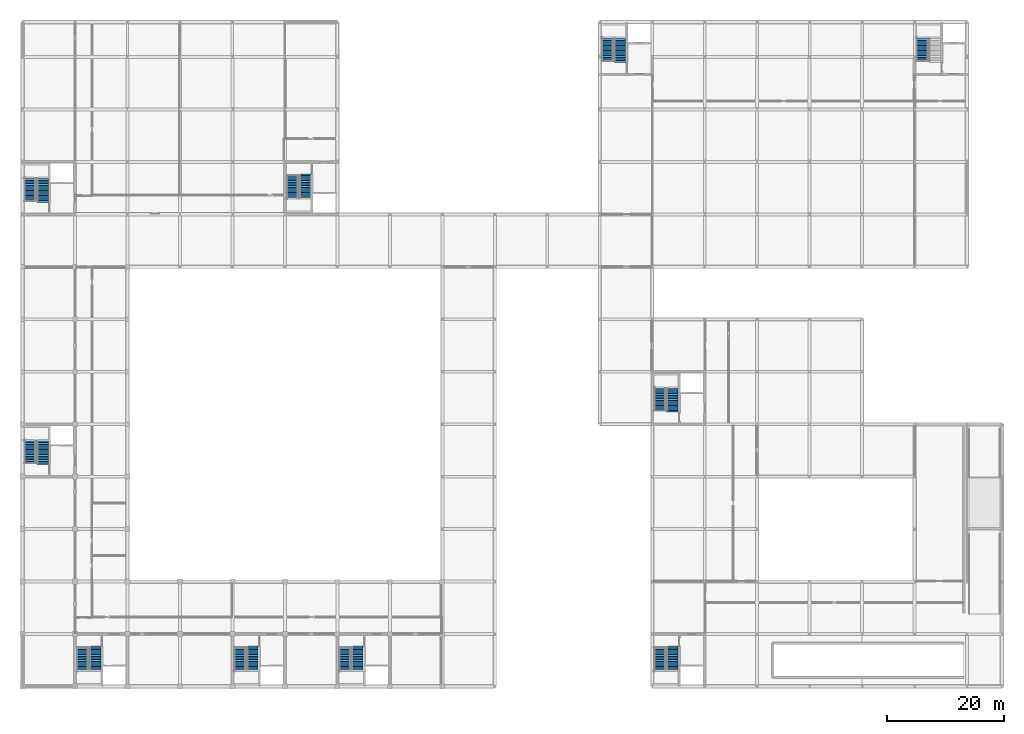
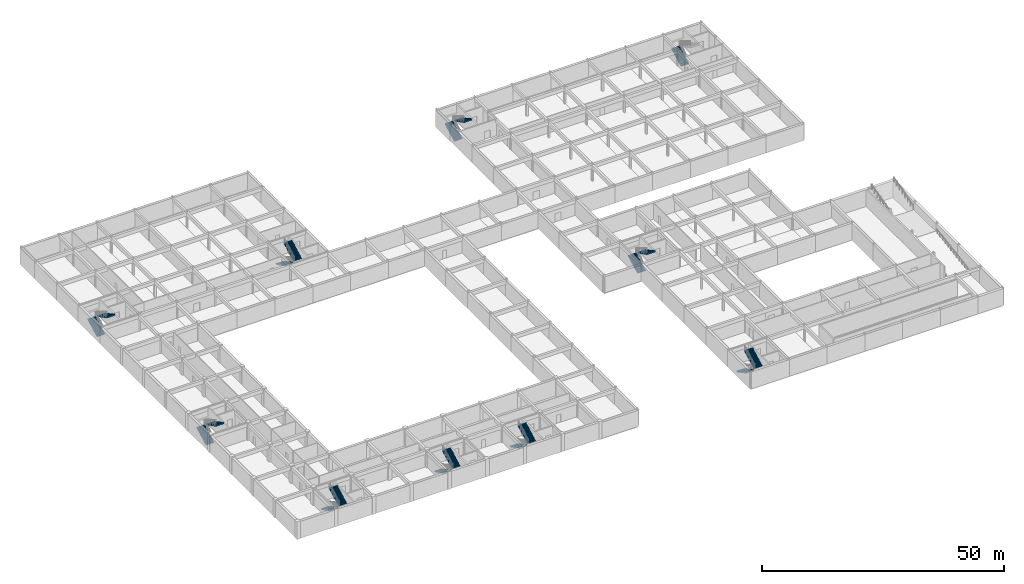
# One storey, part 27 of 35: 19 stair flights, 10 elements without a shape of their own.
"""IFC4 building model written with IfcOpenShell, lengths in metres."""

from ifc_helpers import new_model, si_unit, direction, frame, origin, place, context, subcontext, project, spatial, polyline, outline, extrude, material, type_object, element, aggregate, save


model = new_model("IFC4")

# Units and contexts
model_context = context("Model", 3, precision=1e-05, world=origin(), true_north=direction((0.0, 1.0)))
body_context = subcontext(model_context, "Body", "Model", "MODEL_VIEW")
ifc_project = project(units=[si_unit("LENGTHUNIT", "METRE"), si_unit("AREAUNIT", "SQUARE_METRE"), si_unit("VOLUMEUNIT", "CUBIC_METRE"), si_unit("PLANEANGLEUNIT", "RADIAN"), si_unit("MASSUNIT", "GRAM", prefix="KILO")], contexts=[model_context])

# Site, building, storey
site_placement = place(None, origin())
site = spatial("IfcSite", under=ifc_project, at=site_placement, CompositionType="ELEMENT")
building_placement = place(site_placement, origin())
building = spatial("IfcBuilding", under=site, at=building_placement, Name="Palais des Congres Ocreval", CompositionType="ELEMENT")
storey_placement = place(building_placement, frame((0.0, 0.0, -4.47998046875)))
storey = spatial("IfcBuildingStorey", under=building, at=storey_placement, Name="B1", CompositionType="ELEMENT", Elevation=-4.47998046875)

# Stair, stair flights
ifc_material = material(Name="Concrete C40/50", Category="concrete")
stair_type_1 = type_object("IfcStairType", Name="Commission Core Stair 1950 Concrete C40/50", PredefinedType="HALF_TURN_STAIR", material=ifc_material)
stair_1_placement = place(storey_placement, origin())
stair_1 = element("IfcStair", 1, at=stair_1_placement, inside=storey, type_object=stair_type_1, Name="Protected Core Stair ST09 B1", PredefinedType="HALF_TURN_STAIR")
stair_flight_type_1 = type_object("IfcStairFlightType", Name="Commission Stair Flight W1950 Concrete C40/50", PredefinedType="STRAIGHT", material=ifc_material)
stair_flight_1_placement = place(storey_placement, frame((109.344970703125, 6.64990234375, 0.0), z_axis=(0.0, 0.0, 1.0), x_axis=(0.0, -1.0, 0.0)))
stair_flight_1 = element("IfcStairFlight", 2, at=stair_flight_1_placement, type_object=stair_flight_type_1, Name="Stair ST09 B1 Flight 1", NumberOfRisers=14, NumberOfTreads=13, PredefinedType="STRAIGHT", RiserHeight=0.16, TreadLength=0.29, context=body_context, shape_type="SweptSolid", body=[
    extrude(outline(polyline([(-0.006103515625, 0.0), (-0.006103515625, 0.080078125), (0.0, 0.159912109375), (0.2900390625, 0.159912109375), (0.2900390625, 0.320068359375), (0.580078125, 0.320068359375), (0.580078125, 0.47998046875), (0.8701171875, 0.47998046875), (0.8701171875, 0.639892578125), (1.159912109375, 0.639892578125), (1.159912109375, 0.800048828125), (1.449951171875, 0.800048828125), (1.449951171875, 0.9599609375), (1.739990234375, 0.9599609375), (1.739990234375, 1.1201171875), (2.030029296875, 1.1201171875), (2.030029296875, 1.280029296875), (2.320068359375, 1.280029296875), (2.320068359375, 1.43994140625), (2.610107421875, 1.43994140625), (2.610107421875, 1.60009765625), (2.89990234375, 1.60009765625), (2.89990234375, 1.760009765625), (3.18994140625, 1.760009765625), (3.18994140625, 1.919921875), (3.47998046875, 1.919921875), (3.47998046875, 2.080078125), (3.77001953125, 2.080078125), (3.77001953125, 2.239990234375), (3.929931640625, 2.239990234375), (3.929931640625, 1.8974609375), (0.3310546875, 0.0), (-0.006103515625, 0.0)])), frame((0.0, 0.97509765625, 0.0), z_axis=(0.0, -1.0, 0.0), x_axis=(1.0, 0.0, 0.0)), (0.0, 0.0, 1.0), 1.949951171875),
])
stair_flight_2_placement = place(storey_placement, frame((111.455078125, 2.8798828125, 2.239990234375), z_axis=(0.0, 0.0, 1.0), x_axis=(0.0, 1.0, 0.0)))
stair_flight_2 = element("IfcStairFlight", 3, at=stair_flight_2_placement, type_object=stair_flight_type_1, Name="Stair ST09 B1 Flight 2", NumberOfRisers=14, NumberOfTreads=13, PredefinedType="STRAIGHT", RiserHeight=0.16, TreadLength=0.29, context=body_context, shape_type="SweptSolid", body=[
    extrude(outline(polyline([(-0.006103515625, 0.0), (-0.006103515625, 0.080078125), (0.0, 0.159912109375), (0.2900390625, 0.159912109375), (0.2900390625, 0.320068359375), (0.580078125, 0.320068359375), (0.580078125, 0.47998046875), (0.8701171875, 0.47998046875), (0.8701171875, 0.639892578125), (1.159912109375, 0.639892578125), (1.159912109375, 0.800048828125), (1.449951171875, 0.800048828125), (1.449951171875, 0.9599609375), (1.739990234375, 0.9599609375), (1.739990234375, 1.1201171875), (2.030029296875, 1.1201171875), (2.030029296875, 1.280029296875), (2.320068359375, 1.280029296875), (2.320068359375, 1.43994140625), (2.610107421875, 1.43994140625), (2.610107421875, 1.60009765625), (2.89990234375, 1.60009765625), (2.89990234375, 1.760009765625), (3.18994140625, 1.760009765625), (3.18994140625, 1.919921875), (3.47998046875, 1.919921875), (3.47998046875, 2.080078125), (3.77001953125, 2.080078125), (3.77001953125, 2.239990234375), (4.06005859375, 2.239990234375), (4.06005859375, 1.8974609375), (0.3310546875, 0.0), (-0.006103515625, 0.0)])), frame((0.0, 0.97509765625, 0.0), z_axis=(0.0, -1.0, 0.0), x_axis=(1.0, 0.0, 0.0)), (0.0, 0.0, 1.0), 1.949951171875),
])
aggregate(stair_1, [stair_flight_1, stair_flight_2])

stair_type_2 = type_object("IfcStairType", Name="Protected Core Stair B2-B1 1900 Concrete C40/50", PredefinedType="HALF_TURN_STAIR", material=ifc_material)
stair_2_placement = place(storey_placement, origin())
stair_2 = element("IfcStair", 4, at=stair_2_placement, inside=storey, type_object=stair_type_2, Name="Protected Core Stair ST01 B1", PredefinedType="HALF_TURN_STAIR")
stair_flight_type_2 = type_object("IfcStairFlightType", Name="Core Stair Flight 14R x 160/290 W1900 Concrete C40/50", PredefinedType="STRAIGHT", material=ifc_material)
stair_flight_3_placement = place(storey_placement, frame((10.320068359375, 6.64990234375, 0.0), z_axis=(0.0, 0.0, 1.0), x_axis=(0.0, -1.0, 0.0)))
stair_flight_3 = element("IfcStairFlight", 5, at=stair_flight_3_placement, type_object=stair_flight_type_2, Name="Stair ST01 B1 Flight 1", NumberOfRisers=14, NumberOfTreads=13, PredefinedType="STRAIGHT", RiserHeight=0.16, TreadLength=0.29, context=body_context, shape_type="SweptSolid", body=[
    extrude(outline(polyline([(-0.006103515625, 0.0), (-0.006103515625, 0.080078125), (0.0, 0.159912109375), (0.2900390625, 0.159912109375), (0.2900390625, 0.320068359375), (0.580078125, 0.320068359375), (0.580078125, 0.47998046875), (0.8701171875, 0.47998046875), (0.8701171875, 0.639892578125), (1.159912109375, 0.639892578125), (1.159912109375, 0.800048828125), (1.449951171875, 0.800048828125), (1.449951171875, 0.9599609375), (1.739990234375, 0.9599609375), (1.739990234375, 1.1201171875), (2.030029296875, 1.1201171875), (2.030029296875, 1.280029296875), (2.320068359375, 1.280029296875), (2.320068359375, 1.43994140625), (2.610107421875, 1.43994140625), (2.610107421875, 1.60009765625), (2.89990234375, 1.60009765625), (2.89990234375, 1.760009765625), (3.18994140625, 1.760009765625), (3.18994140625, 1.919921875), (3.47998046875, 1.919921875), (3.47998046875, 2.080078125), (3.77001953125, 2.080078125), (3.77001953125, 2.239990234375), (3.929931640625, 2.239990234375), (3.929931640625, 1.8974609375), (0.3310546875, 0.0), (-0.006103515625, 0.0)])), frame((0.0, 0.949951171875, 0.0), z_axis=(0.0, -1.0, 0.0), x_axis=(1.0, 0.0, 0.0)), (0.0, 0.0, 1.0), 1.89990234375),
])
stair_flight_4_placement = place(storey_placement, frame((12.47998046875, 2.8798828125, 2.239990234375), z_axis=(0.0, 0.0, 1.0), x_axis=(0.0, 1.0, 0.0)))
stair_flight_4 = element("IfcStairFlight", 6, at=stair_flight_4_placement, type_object=stair_flight_type_2, Name="Stair ST01 B1 Flight 2", NumberOfRisers=14, NumberOfTreads=13, PredefinedType="STRAIGHT", RiserHeight=0.16, TreadLength=0.29, context=body_context, shape_type="SweptSolid", body=[
    extrude(outline(polyline([(-0.006103515625, 0.0), (-0.006103515625, 0.080078125), (0.0, 0.159912109375), (0.2900390625, 0.159912109375), (0.2900390625, 0.320068359375), (0.580078125, 0.320068359375), (0.580078125, 0.47998046875), (0.8701171875, 0.47998046875), (0.8701171875, 0.639892578125), (1.159912109375, 0.639892578125), (1.159912109375, 0.800048828125), (1.449951171875, 0.800048828125), (1.449951171875, 0.9599609375), (1.739990234375, 0.9599609375), (1.739990234375, 1.1201171875), (2.030029296875, 1.1201171875), (2.030029296875, 1.280029296875), (2.320068359375, 1.280029296875), (2.320068359375, 1.43994140625), (2.610107421875, 1.43994140625), (2.610107421875, 1.60009765625), (2.89990234375, 1.60009765625), (2.89990234375, 1.760009765625), (3.18994140625, 1.760009765625), (3.18994140625, 1.919921875), (3.47998046875, 1.919921875), (3.47998046875, 2.080078125), (3.77001953125, 2.080078125), (3.77001953125, 2.239990234375), (4.06005859375, 2.239990234375), (4.06005859375, 1.8974609375), (0.3310546875, 0.0), (-0.006103515625, 0.0)])), frame((0.0, 0.949951171875, 0.0), z_axis=(0.0, -1.0, 0.0), x_axis=(1.0, 0.0, 0.0)), (0.0, 0.0, 1.0), 1.89990234375),
])
aggregate(stair_2, [stair_flight_3, stair_flight_4])

stair_3_placement = place(storey_placement, origin())
stair_3 = element("IfcStair", 7, at=stair_3_placement, inside=storey, type_object=stair_type_2, Name="Protected Core Stair ST02 B1", PredefinedType="HALF_TURN_STAIR")
stair_flight_5_placement = place(storey_placement, frame((37.320068359375, 6.64990234375, 0.0), z_axis=(0.0, 0.0, 1.0), x_axis=(0.0, -1.0, 0.0)))
stair_flight_5 = element("IfcStairFlight", 8, at=stair_flight_5_placement, type_object=stair_flight_type_2, Name="Stair ST02 B1 Flight 1", NumberOfRisers=14, NumberOfTreads=13, PredefinedType="STRAIGHT", RiserHeight=0.16, TreadLength=0.29, context=body_context, shape_type="SweptSolid", body=[
    extrude(outline(polyline([(-0.006103515625, 0.0), (-0.006103515625, 0.080078125), (0.0, 0.159912109375), (0.2900390625, 0.159912109375), (0.2900390625, 0.320068359375), (0.580078125, 0.320068359375), (0.580078125, 0.47998046875), (0.8701171875, 0.47998046875), (0.8701171875, 0.639892578125), (1.159912109375, 0.639892578125), (1.159912109375, 0.800048828125), (1.449951171875, 0.800048828125), (1.449951171875, 0.9599609375), (1.739990234375, 0.9599609375), (1.739990234375, 1.1201171875), (2.030029296875, 1.1201171875), (2.030029296875, 1.280029296875), (2.320068359375, 1.280029296875), (2.320068359375, 1.43994140625), (2.610107421875, 1.43994140625), (2.610107421875, 1.60009765625), (2.89990234375, 1.60009765625), (2.89990234375, 1.760009765625), (3.18994140625, 1.760009765625), (3.18994140625, 1.919921875), (3.47998046875, 1.919921875), (3.47998046875, 2.080078125), (3.77001953125, 2.080078125), (3.77001953125, 2.239990234375), (3.929931640625, 2.239990234375), (3.929931640625, 1.8974609375), (0.3310546875, 0.0), (-0.006103515625, 0.0)])), frame((0.0, 0.949951171875, 0.0), z_axis=(0.0, -1.0, 0.0), x_axis=(1.0, 0.0, 0.0)), (0.0, 0.0, 1.0), 1.89990234375),
])
stair_flight_6_placement = place(storey_placement, frame((39.47998046875, 2.8798828125, 2.239990234375), z_axis=(0.0, 0.0, 1.0), x_axis=(0.0, 1.0, 0.0)))
stair_flight_6 = element("IfcStairFlight", 9, at=stair_flight_6_placement, type_object=stair_flight_type_2, Name="Stair ST02 B1 Flight 2", NumberOfRisers=14, NumberOfTreads=13, PredefinedType="STRAIGHT", RiserHeight=0.16, TreadLength=0.29, context=body_context, shape_type="SweptSolid", body=[
    extrude(outline(polyline([(-0.006103515625, 0.0), (-0.006103515625, 0.080078125), (0.0, 0.159912109375), (0.2900390625, 0.159912109375), (0.2900390625, 0.320068359375), (0.580078125, 0.320068359375), (0.580078125, 0.47998046875), (0.8701171875, 0.47998046875), (0.8701171875, 0.639892578125), (1.159912109375, 0.639892578125), (1.159912109375, 0.800048828125), (1.449951171875, 0.800048828125), (1.449951171875, 0.9599609375), (1.739990234375, 0.9599609375), (1.739990234375, 1.1201171875), (2.030029296875, 1.1201171875), (2.030029296875, 1.280029296875), (2.320068359375, 1.280029296875), (2.320068359375, 1.43994140625), (2.610107421875, 1.43994140625), (2.610107421875, 1.60009765625), (2.89990234375, 1.60009765625), (2.89990234375, 1.760009765625), (3.18994140625, 1.760009765625), (3.18994140625, 1.919921875), (3.47998046875, 1.919921875), (3.47998046875, 2.080078125), (3.77001953125, 2.080078125), (3.77001953125, 2.239990234375), (4.06005859375, 2.239990234375), (4.06005859375, 1.8974609375), (0.3310546875, 0.0), (-0.006103515625, 0.0)])), frame((0.0, 0.949951171875, 0.0), z_axis=(0.0, -1.0, 0.0), x_axis=(1.0, 0.0, 0.0)), (0.0, 0.0, 1.0), 1.89990234375),
])
aggregate(stair_3, [stair_flight_5, stair_flight_6])

stair_4_placement = place(storey_placement, origin())
stair_4 = element("IfcStair", 10, at=stair_4_placement, inside=storey, type_object=stair_type_2, Name="Protected Core Stair ST03 B1", PredefinedType="HALF_TURN_STAIR")
stair_flight_7_placement = place(storey_placement, frame((1.320068359375, 38.35009765625, 0.0), z_axis=(0.0, 0.0, 1.0), x_axis=(0.0, 1.0, 0.0)))
stair_flight_7 = element("IfcStairFlight", 11, at=stair_flight_7_placement, type_object=stair_flight_type_2, Name="Stair ST03 B1 Flight 1", NumberOfRisers=14, NumberOfTreads=13, PredefinedType="STRAIGHT", RiserHeight=0.16, TreadLength=0.29, context=body_context, shape_type="SweptSolid", body=[
    extrude(outline(polyline([(-0.006103515625, 0.0), (-0.006103515625, 0.080078125), (0.0, 0.159912109375), (0.2900390625, 0.159912109375), (0.2900390625, 0.320068359375), (0.580078125, 0.320068359375), (0.580078125, 0.47998046875), (0.8701171875, 0.47998046875), (0.8701171875, 0.639892578125), (1.159912109375, 0.639892578125), (1.159912109375, 0.800048828125), (1.449951171875, 0.800048828125), (1.449951171875, 0.9599609375), (1.739990234375, 0.9599609375), (1.739990234375, 1.1201171875), (2.030029296875, 1.1201171875), (2.030029296875, 1.280029296875), (2.320068359375, 1.280029296875), (2.320068359375, 1.43994140625), (2.610107421875, 1.43994140625), (2.610107421875, 1.60009765625), (2.89990234375, 1.60009765625), (2.89990234375, 1.760009765625), (3.18994140625, 1.760009765625), (3.18994140625, 1.919921875), (3.47998046875, 1.919921875), (3.47998046875, 2.080078125), (3.77001953125, 2.080078125), (3.77001953125, 2.239990234375), (3.929931640625, 2.239990234375), (3.929931640625, 1.8974609375), (0.3310546875, 0.0), (-0.006103515625, 0.0)])), frame((0.0, 0.949951171875, 0.0), z_axis=(0.0, -1.0, 0.0), x_axis=(1.0, 0.0, 0.0)), (0.0, 0.0, 1.0), 1.89990234375),
])
stair_flight_8_placement = place(storey_placement, frame((3.47998046875, 42.1201171875, 2.239990234375), z_axis=(0.0, 0.0, 1.0), x_axis=(0.0, -1.0, 0.0)))
stair_flight_8 = element("IfcStairFlight", 12, at=stair_flight_8_placement, type_object=stair_flight_type_2, Name="Stair ST03 B1 Flight 2", NumberOfRisers=14, NumberOfTreads=13, PredefinedType="STRAIGHT", RiserHeight=0.16, TreadLength=0.29, context=body_context, shape_type="SweptSolid", body=[
    extrude(outline(polyline([(-0.006103515625, 0.0), (-0.006103515625, 0.080078125), (0.0, 0.159912109375), (0.2900390625, 0.159912109375), (0.2900390625, 0.320068359375), (0.580078125, 0.320068359375), (0.580078125, 0.47998046875), (0.8701171875, 0.47998046875), (0.8701171875, 0.639892578125), (1.159912109375, 0.639892578125), (1.159912109375, 0.800048828125), (1.449951171875, 0.800048828125), (1.449951171875, 0.9599609375), (1.739990234375, 0.9599609375), (1.739990234375, 1.1201171875), (2.030029296875, 1.1201171875), (2.030029296875, 1.280029296875), (2.320068359375, 1.280029296875), (2.320068359375, 1.43994140625), (2.610107421875, 1.43994140625), (2.610107421875, 1.60009765625), (2.89990234375, 1.60009765625), (2.89990234375, 1.760009765625), (3.18994140625, 1.760009765625), (3.18994140625, 1.919921875), (3.47998046875, 1.919921875), (3.47998046875, 2.080078125), (3.77001953125, 2.080078125), (3.77001953125, 2.239990234375), (4.06005859375, 2.239990234375), (4.06005859375, 1.8974609375), (0.3310546875, 0.0), (-0.006103515625, 0.0)])), frame((0.0, 0.949951171875, 0.0), z_axis=(0.0, -1.0, 0.0), x_axis=(1.0, 0.0, 0.0)), (0.0, 0.0, 1.0), 1.89990234375),
])
aggregate(stair_4, [stair_flight_7, stair_flight_8])

stair_5_placement = place(storey_placement, origin())
stair_5 = element("IfcStair", 13, at=stair_5_placement, inside=storey, type_object=stair_type_2, Name="Protected Core Stair ST04 B1", PredefinedType="HALF_TURN_STAIR")
stair_flight_9_placement = place(storey_placement, frame((55.320068359375, 6.64990234375, 0.0), z_axis=(0.0, 0.0, 1.0), x_axis=(0.0, -1.0, 0.0)))
stair_flight_9 = element("IfcStairFlight", 14, at=stair_flight_9_placement, type_object=stair_flight_type_2, Name="Stair ST04 B1 Flight 1", NumberOfRisers=14, NumberOfTreads=13, PredefinedType="STRAIGHT", RiserHeight=0.16, TreadLength=0.29, context=body_context, shape_type="SweptSolid", body=[
    extrude(outline(polyline([(-0.006103515625, 0.0), (-0.006103515625, 0.080078125), (0.0, 0.159912109375), (0.2900390625, 0.159912109375), (0.2900390625, 0.320068359375), (0.580078125, 0.320068359375), (0.580078125, 0.47998046875), (0.8701171875, 0.47998046875), (0.8701171875, 0.639892578125), (1.159912109375, 0.639892578125), (1.159912109375, 0.800048828125), (1.449951171875, 0.800048828125), (1.449951171875, 0.9599609375), (1.739990234375, 0.9599609375), (1.739990234375, 1.1201171875), (2.030029296875, 1.1201171875), (2.030029296875, 1.280029296875), (2.320068359375, 1.280029296875), (2.320068359375, 1.43994140625), (2.610107421875, 1.43994140625), (2.610107421875, 1.60009765625), (2.89990234375, 1.60009765625), (2.89990234375, 1.760009765625), (3.18994140625, 1.760009765625), (3.18994140625, 1.919921875), (3.47998046875, 1.919921875), (3.47998046875, 2.080078125), (3.77001953125, 2.080078125), (3.77001953125, 2.239990234375), (3.929931640625, 2.239990234375), (3.929931640625, 1.8974609375), (0.3310546875, 0.0), (-0.006103515625, 0.0)])), frame((0.0, 0.949951171875, 0.0), z_axis=(0.0, -1.0, 0.0), x_axis=(1.0, 0.0, 0.0)), (0.0, 0.0, 1.0), 1.89990234375),
])
stair_flight_10_placement = place(storey_placement, frame((57.47998046875, 2.8798828125, 2.239990234375), z_axis=(0.0, 0.0, 1.0), x_axis=(0.0, 1.0, 0.0)))
stair_flight_10 = element("IfcStairFlight", 15, at=stair_flight_10_placement, type_object=stair_flight_type_2, Name="Stair ST04 B1 Flight 2", NumberOfRisers=14, NumberOfTreads=13, PredefinedType="STRAIGHT", RiserHeight=0.16, TreadLength=0.29, context=body_context, shape_type="SweptSolid", body=[
    extrude(outline(polyline([(-0.006103515625, 0.0), (-0.006103515625, 0.080078125), (0.0, 0.159912109375), (0.2900390625, 0.159912109375), (0.2900390625, 0.320068359375), (0.580078125, 0.320068359375), (0.580078125, 0.47998046875), (0.8701171875, 0.47998046875), (0.8701171875, 0.639892578125), (1.159912109375, 0.639892578125), (1.159912109375, 0.800048828125), (1.449951171875, 0.800048828125), (1.449951171875, 0.9599609375), (1.739990234375, 0.9599609375), (1.739990234375, 1.1201171875), (2.030029296875, 1.1201171875), (2.030029296875, 1.280029296875), (2.320068359375, 1.280029296875), (2.320068359375, 1.43994140625), (2.610107421875, 1.43994140625), (2.610107421875, 1.60009765625), (2.89990234375, 1.60009765625), (2.89990234375, 1.760009765625), (3.18994140625, 1.760009765625), (3.18994140625, 1.919921875), (3.47998046875, 1.919921875), (3.47998046875, 2.080078125), (3.77001953125, 2.080078125), (3.77001953125, 2.239990234375), (4.06005859375, 2.239990234375), (4.06005859375, 1.8974609375), (0.3310546875, 0.0), (-0.006103515625, 0.0)])), frame((0.0, 0.949951171875, 0.0), z_axis=(0.0, -1.0, 0.0), x_axis=(1.0, 0.0, 0.0)), (0.0, 0.0, 1.0), 1.89990234375),
])
aggregate(stair_5, [stair_flight_9, stair_flight_10])

stair_6_placement = place(storey_placement, origin())
stair_6 = element("IfcStair", 16, at=stair_6_placement, inside=storey, type_object=stair_type_2, Name="Protected Core Stair ST05 B1", PredefinedType="HALF_TURN_STAIR")
stair_flight_11_placement = place(storey_placement, frame((1.320068359375, 83.35009765625, 0.0), z_axis=(0.0, 0.0, 1.0), x_axis=(0.0, 1.0, 0.0)))
stair_flight_11 = element("IfcStairFlight", 17, at=stair_flight_11_placement, type_object=stair_flight_type_2, Name="Stair ST05 B1 Flight 1", NumberOfRisers=14, NumberOfTreads=13, PredefinedType="STRAIGHT", RiserHeight=0.16, TreadLength=0.29, context=body_context, shape_type="SweptSolid", body=[
    extrude(outline(polyline([(-0.006103515625, 0.0), (-0.006103515625, 0.080078125), (0.0, 0.159912109375), (0.2900390625, 0.159912109375), (0.2900390625, 0.320068359375), (0.580078125, 0.320068359375), (0.580078125, 0.47998046875), (0.8701171875, 0.47998046875), (0.8701171875, 0.639892578125), (1.159912109375, 0.639892578125), (1.159912109375, 0.800048828125), (1.449951171875, 0.800048828125), (1.449951171875, 0.9599609375), (1.739990234375, 0.9599609375), (1.739990234375, 1.1201171875), (2.030029296875, 1.1201171875), (2.030029296875, 1.280029296875), (2.320068359375, 1.280029296875), (2.320068359375, 1.43994140625), (2.610107421875, 1.43994140625), (2.610107421875, 1.60009765625), (2.89990234375, 1.60009765625), (2.89990234375, 1.760009765625), (3.18994140625, 1.760009765625), (3.18994140625, 1.919921875), (3.47998046875, 1.919921875), (3.47998046875, 2.080078125), (3.77001953125, 2.080078125), (3.77001953125, 2.239990234375), (3.929931640625, 2.239990234375), (3.929931640625, 1.8974609375), (0.3310546875, 0.0), (-0.006103515625, 0.0)])), frame((0.0, 0.949951171875, 0.0), z_axis=(0.0, -1.0, 0.0), x_axis=(1.0, 0.0, 0.0)), (0.0, 0.0, 1.0), 1.89990234375),
])
stair_flight_12_placement = place(storey_placement, frame((3.47998046875, 87.1201171875, 2.239990234375), z_axis=(0.0, 0.0, 1.0), x_axis=(0.0, -1.0, 0.0)))
stair_flight_12 = element("IfcStairFlight", 18, at=stair_flight_12_placement, type_object=stair_flight_type_2, Name="Stair ST05 B1 Flight 2", NumberOfRisers=14, NumberOfTreads=13, PredefinedType="STRAIGHT", RiserHeight=0.16, TreadLength=0.29, context=body_context, shape_type="SweptSolid", body=[
    extrude(outline(polyline([(-0.006103515625, 0.0), (-0.006103515625, 0.080078125), (0.0, 0.159912109375), (0.2900390625, 0.159912109375), (0.2900390625, 0.320068359375), (0.580078125, 0.320068359375), (0.580078125, 0.47998046875), (0.8701171875, 0.47998046875), (0.8701171875, 0.639892578125), (1.159912109375, 0.639892578125), (1.159912109375, 0.800048828125), (1.449951171875, 0.800048828125), (1.449951171875, 0.9599609375), (1.739990234375, 0.9599609375), (1.739990234375, 1.1201171875), (2.030029296875, 1.1201171875), (2.030029296875, 1.280029296875), (2.320068359375, 1.280029296875), (2.320068359375, 1.43994140625), (2.610107421875, 1.43994140625), (2.610107421875, 1.60009765625), (2.89990234375, 1.60009765625), (2.89990234375, 1.760009765625), (3.18994140625, 1.760009765625), (3.18994140625, 1.919921875), (3.47998046875, 1.919921875), (3.47998046875, 2.080078125), (3.77001953125, 2.080078125), (3.77001953125, 2.239990234375), (4.06005859375, 2.239990234375), (4.06005859375, 1.8974609375), (0.3310546875, 0.0), (-0.006103515625, 0.0)])), frame((0.0, 0.949951171875, 0.0), z_axis=(0.0, -1.0, 0.0), x_axis=(1.0, 0.0, 0.0)), (0.0, 0.0, 1.0), 1.89990234375),
])
aggregate(stair_6, [stair_flight_11, stair_flight_12])

stair_7_placement = place(storey_placement, origin())
stair_7 = element("IfcStair", 19, at=stair_7_placement, inside=storey, type_object=stair_type_2, Name="Protected Core Stair ST06 B1", PredefinedType="HALF_TURN_STAIR")
stair_flight_13_placement = place(storey_placement, frame((46.320068359375, 87.64990234375, 0.0), z_axis=(0.0, 0.0, 1.0), x_axis=(0.0, -1.0, 0.0)))
stair_flight_13 = element("IfcStairFlight", 20, at=stair_flight_13_placement, type_object=stair_flight_type_2, Name="Stair ST06 B1 Flight 1", NumberOfRisers=14, NumberOfTreads=13, PredefinedType="STRAIGHT", RiserHeight=0.16, TreadLength=0.29, context=body_context, shape_type="SweptSolid", body=[
    extrude(outline(polyline([(-0.006103515625, 0.0), (-0.006103515625, 0.080078125), (0.0, 0.159912109375), (0.2900390625, 0.159912109375), (0.2900390625, 0.320068359375), (0.580078125, 0.320068359375), (0.580078125, 0.47998046875), (0.8701171875, 0.47998046875), (0.8701171875, 0.639892578125), (1.159912109375, 0.639892578125), (1.159912109375, 0.800048828125), (1.449951171875, 0.800048828125), (1.449951171875, 0.9599609375), (1.739990234375, 0.9599609375), (1.739990234375, 1.1201171875), (2.030029296875, 1.1201171875), (2.030029296875, 1.280029296875), (2.320068359375, 1.280029296875), (2.320068359375, 1.43994140625), (2.610107421875, 1.43994140625), (2.610107421875, 1.60009765625), (2.89990234375, 1.60009765625), (2.89990234375, 1.760009765625), (3.18994140625, 1.760009765625), (3.18994140625, 1.919921875), (3.47998046875, 1.919921875), (3.47998046875, 2.080078125), (3.77001953125, 2.080078125), (3.77001953125, 2.239990234375), (3.929931640625, 2.239990234375), (3.929931640625, 1.8974609375), (0.3310546875, 0.0), (-0.006103515625, 0.0)])), frame((0.0, 0.949951171875, 0.0), z_axis=(0.0, -1.0, 0.0), x_axis=(1.0, 0.0, 0.0)), (0.0, 0.0, 1.0), 1.89990234375),
])
stair_flight_14_placement = place(storey_placement, frame((48.47998046875, 83.8798828125, 2.239990234375), z_axis=(0.0, 0.0, 1.0), x_axis=(0.0, 1.0, 0.0)))
stair_flight_14 = element("IfcStairFlight", 21, at=stair_flight_14_placement, type_object=stair_flight_type_2, Name="Stair ST06 B1 Flight 2", NumberOfRisers=14, NumberOfTreads=13, PredefinedType="STRAIGHT", RiserHeight=0.16, TreadLength=0.29, context=body_context, shape_type="SweptSolid", body=[
    extrude(outline(polyline([(-0.006103515625, 0.0), (-0.006103515625, 0.080078125), (0.0, 0.159912109375), (0.2900390625, 0.159912109375), (0.2900390625, 0.320068359375), (0.580078125, 0.320068359375), (0.580078125, 0.47998046875), (0.8701171875, 0.47998046875), (0.8701171875, 0.639892578125), (1.159912109375, 0.639892578125), (1.159912109375, 0.800048828125), (1.449951171875, 0.800048828125), (1.449951171875, 0.9599609375), (1.739990234375, 0.9599609375), (1.739990234375, 1.1201171875), (2.030029296875, 1.1201171875), (2.030029296875, 1.280029296875), (2.320068359375, 1.280029296875), (2.320068359375, 1.43994140625), (2.610107421875, 1.43994140625), (2.610107421875, 1.60009765625), (2.89990234375, 1.60009765625), (2.89990234375, 1.760009765625), (3.18994140625, 1.760009765625), (3.18994140625, 1.919921875), (3.47998046875, 1.919921875), (3.47998046875, 2.080078125), (3.77001953125, 2.080078125), (3.77001953125, 2.239990234375), (4.06005859375, 2.239990234375), (4.06005859375, 1.8974609375), (0.3310546875, 0.0), (-0.006103515625, 0.0)])), frame((0.0, 0.949951171875, 0.0), z_axis=(0.0, -1.0, 0.0), x_axis=(1.0, 0.0, 0.0)), (0.0, 0.0, 1.0), 1.89990234375),
])
aggregate(stair_7, [stair_flight_13, stair_flight_14])

stair_8_placement = place(storey_placement, origin())
stair_8 = element("IfcStair", 22, at=stair_8_placement, inside=storey, type_object=stair_type_2, Name="Protected Core Stair ST07 B1", PredefinedType="HALF_TURN_STAIR")
stair_flight_15_placement = place(storey_placement, frame((100.320068359375, 107.35009765625, 0.0), z_axis=(0.0, 0.0, 1.0), x_axis=(0.0, 1.0, 0.0)))
stair_flight_15 = element("IfcStairFlight", 23, at=stair_flight_15_placement, type_object=stair_flight_type_2, Name="Stair ST07 B1 Flight 1", NumberOfRisers=14, NumberOfTreads=13, PredefinedType="STRAIGHT", RiserHeight=0.16, TreadLength=0.29, context=body_context, shape_type="SweptSolid", body=[
    extrude(outline(polyline([(-0.006103515625, 0.0), (-0.006103515625, 0.080078125), (0.0, 0.159912109375), (0.2900390625, 0.159912109375), (0.2900390625, 0.320068359375), (0.580078125, 0.320068359375), (0.580078125, 0.47998046875), (0.8701171875, 0.47998046875), (0.8701171875, 0.639892578125), (1.159912109375, 0.639892578125), (1.159912109375, 0.800048828125), (1.449951171875, 0.800048828125), (1.449951171875, 0.9599609375), (1.739990234375, 0.9599609375), (1.739990234375, 1.1201171875), (2.030029296875, 1.1201171875), (2.030029296875, 1.280029296875), (2.320068359375, 1.280029296875), (2.320068359375, 1.43994140625), (2.610107421875, 1.43994140625), (2.610107421875, 1.60009765625), (2.89990234375, 1.60009765625), (2.89990234375, 1.760009765625), (3.18994140625, 1.760009765625), (3.18994140625, 1.919921875), (3.47998046875, 1.919921875), (3.47998046875, 2.080078125), (3.77001953125, 2.080078125), (3.77001953125, 2.239990234375), (3.929931640625, 2.239990234375), (3.929931640625, 1.8974609375), (0.3310546875, 0.0), (-0.006103515625, 0.0)])), frame((0.0, 0.949951171875, 0.0), z_axis=(0.0, -1.0, 0.0), x_axis=(1.0, 0.0, 0.0)), (0.0, 0.0, 1.0), 1.89990234375),
])
stair_flight_16_placement = place(storey_placement, frame((102.47998046875, 111.1201171875, 2.239990234375), z_axis=(0.0, 0.0, 1.0), x_axis=(0.0, -1.0, 0.0)))
stair_flight_16 = element("IfcStairFlight", 24, at=stair_flight_16_placement, type_object=stair_flight_type_2, Name="Stair ST07 B1 Flight 2", NumberOfRisers=14, NumberOfTreads=13, PredefinedType="STRAIGHT", RiserHeight=0.16, TreadLength=0.29, context=body_context, shape_type="SweptSolid", body=[
    extrude(outline(polyline([(-0.006103515625, 0.0), (-0.006103515625, 0.080078125), (0.0, 0.159912109375), (0.2900390625, 0.159912109375), (0.2900390625, 0.320068359375), (0.580078125, 0.320068359375), (0.580078125, 0.47998046875), (0.8701171875, 0.47998046875), (0.8701171875, 0.639892578125), (1.159912109375, 0.639892578125), (1.159912109375, 0.800048828125), (1.449951171875, 0.800048828125), (1.449951171875, 0.9599609375), (1.739990234375, 0.9599609375), (1.739990234375, 1.1201171875), (2.030029296875, 1.1201171875), (2.030029296875, 1.280029296875), (2.320068359375, 1.280029296875), (2.320068359375, 1.43994140625), (2.610107421875, 1.43994140625), (2.610107421875, 1.60009765625), (2.89990234375, 1.60009765625), (2.89990234375, 1.760009765625), (3.18994140625, 1.760009765625), (3.18994140625, 1.919921875), (3.47998046875, 1.919921875), (3.47998046875, 2.080078125), (3.77001953125, 2.080078125), (3.77001953125, 2.239990234375), (4.06005859375, 2.239990234375), (4.06005859375, 1.8974609375), (0.3310546875, 0.0), (-0.006103515625, 0.0)])), frame((0.0, 0.949951171875, 0.0), z_axis=(0.0, -1.0, 0.0), x_axis=(1.0, 0.0, 0.0)), (0.0, 0.0, 1.0), 1.89990234375),
])
aggregate(stair_8, [stair_flight_15, stair_flight_16])

stair_type_3 = type_object("IfcStairType", Name="Spa Pavilion Core Stair 1950 Concrete C40/50", PredefinedType="HALF_TURN_STAIR", material=ifc_material)
stair_9_placement = place(storey_placement, origin())
stair_9 = element("IfcStair", 25, at=stair_9_placement, inside=storey, type_object=stair_type_3, Name="Protected Core Stair ST10 B1", PredefinedType="HALF_TURN_STAIR")
stair_flight_type_3 = type_object("IfcStairFlightType", Name="Spa Pavilion Stair Flight W1950 Concrete C40/50", PredefinedType="STRAIGHT", material=ifc_material)
stair_flight_17_placement = place(storey_placement, frame((109.344970703125, 47.35009765625, 0.0), z_axis=(0.0, 0.0, 1.0), x_axis=(0.0, 1.0, 0.0)))
stair_flight_17 = element("IfcStairFlight", 26, at=stair_flight_17_placement, type_object=stair_flight_type_3, Name="Stair ST10 B1 Flight 1", NumberOfRisers=14, NumberOfTreads=13, PredefinedType="STRAIGHT", RiserHeight=0.16, TreadLength=0.29, context=body_context, shape_type="SweptSolid", body=[
    extrude(outline(polyline([(-0.006103515625, 0.0), (-0.006103515625, 0.080078125), (0.0, 0.159912109375), (0.2900390625, 0.159912109375), (0.2900390625, 0.320068359375), (0.580078125, 0.320068359375), (0.580078125, 0.47998046875), (0.8701171875, 0.47998046875), (0.8701171875, 0.639892578125), (1.159912109375, 0.639892578125), (1.159912109375, 0.800048828125), (1.449951171875, 0.800048828125), (1.449951171875, 0.9599609375), (1.739990234375, 0.9599609375), (1.739990234375, 1.1201171875), (2.030029296875, 1.1201171875), (2.030029296875, 1.280029296875), (2.320068359375, 1.280029296875), (2.320068359375, 1.43994140625), (2.610107421875, 1.43994140625), (2.610107421875, 1.60009765625), (2.89990234375, 1.60009765625), (2.89990234375, 1.760009765625), (3.18994140625, 1.760009765625), (3.18994140625, 1.919921875), (3.47998046875, 1.919921875), (3.47998046875, 2.080078125), (3.77001953125, 2.080078125), (3.77001953125, 2.239990234375), (3.929931640625, 2.239990234375), (3.929931640625, 1.8974609375), (0.3310546875, 0.0), (-0.006103515625, 0.0)])), frame((0.0, 0.97509765625, 0.0), z_axis=(0.0, -1.0, 0.0), x_axis=(1.0, 0.0, 0.0)), (0.0, 0.0, 1.0), 1.949951171875),
])
stair_flight_18_placement = place(storey_placement, frame((111.455078125, 51.1201171875, 2.239990234375), z_axis=(0.0, 0.0, 1.0), x_axis=(0.0, -1.0, 0.0)))
stair_flight_18 = element("IfcStairFlight", 27, at=stair_flight_18_placement, type_object=stair_flight_type_3, Name="Stair ST10 B1 Flight 2", NumberOfRisers=14, NumberOfTreads=13, PredefinedType="STRAIGHT", RiserHeight=0.16, TreadLength=0.29, context=body_context, shape_type="SweptSolid", body=[
    extrude(outline(polyline([(-0.006103515625, 0.0), (-0.006103515625, 0.080078125), (0.0, 0.159912109375), (0.2900390625, 0.159912109375), (0.2900390625, 0.320068359375), (0.580078125, 0.320068359375), (0.580078125, 0.47998046875), (0.8701171875, 0.47998046875), (0.8701171875, 0.639892578125), (1.159912109375, 0.639892578125), (1.159912109375, 0.800048828125), (1.449951171875, 0.800048828125), (1.449951171875, 0.9599609375), (1.739990234375, 0.9599609375), (1.739990234375, 1.1201171875), (2.030029296875, 1.1201171875), (2.030029296875, 1.280029296875), (2.320068359375, 1.280029296875), (2.320068359375, 1.43994140625), (2.610107421875, 1.43994140625), (2.610107421875, 1.60009765625), (2.89990234375, 1.60009765625), (2.89990234375, 1.760009765625), (3.18994140625, 1.760009765625), (3.18994140625, 1.919921875), (3.47998046875, 1.919921875), (3.47998046875, 2.080078125), (3.77001953125, 2.080078125), (3.77001953125, 2.239990234375), (4.06005859375, 2.239990234375), (4.06005859375, 1.8974609375), (0.3310546875, 0.0), (-0.006103515625, 0.0)])), frame((0.0, 0.97509765625, 0.0), z_axis=(0.0, -1.0, 0.0), x_axis=(1.0, 0.0, 0.0)), (0.0, 0.0, 1.0), 1.949951171875),
])
aggregate(stair_9, [stair_flight_17, stair_flight_18])

# Stair, stair flight
stair_type_4 = type_object("IfcStairType", Name="Wing Core Stair 1900 Concrete C40/50", PredefinedType="HALF_TURN_STAIR", material=ifc_material)
stair_10_placement = place(storey_placement, origin())
stair_10 = element("IfcStair", 28, at=stair_10_placement, inside=storey, type_object=stair_type_4, Name="Protected Core Stair ST08 B1", PredefinedType="HALF_TURN_STAIR")
stair_flight_type_4 = type_object("IfcStairFlightType", Name="Wing Stair Flight W1900 Concrete C40/50", PredefinedType="STRAIGHT", material=ifc_material)
stair_flight_19_placement = place(storey_placement, frame((154.320068359375, 107.35009765625, 0.0), z_axis=(0.0, 0.0, 1.0), x_axis=(0.0, 1.0, 0.0)))
stair_flight_19 = element("IfcStairFlight", 29, at=stair_flight_19_placement, type_object=stair_flight_type_4, Name="Stair ST08 B1 Flight 1", NumberOfRisers=14, NumberOfTreads=13, PredefinedType="STRAIGHT", RiserHeight=0.16, TreadLength=0.29, context=body_context, shape_type="SweptSolid", body=[
    extrude(outline(polyline([(-0.006103515625, 0.0), (-0.006103515625, 0.080078125), (0.0, 0.159912109375), (0.2900390625, 0.159912109375), (0.2900390625, 0.320068359375), (0.580078125, 0.320068359375), (0.580078125, 0.47998046875), (0.8701171875, 0.47998046875), (0.8701171875, 0.639892578125), (1.159912109375, 0.639892578125), (1.159912109375, 0.800048828125), (1.449951171875, 0.800048828125), (1.449951171875, 0.9599609375), (1.739990234375, 0.9599609375), (1.739990234375, 1.1201171875), (2.030029296875, 1.1201171875), (2.030029296875, 1.280029296875), (2.320068359375, 1.280029296875), (2.320068359375, 1.43994140625), (2.610107421875, 1.43994140625), (2.610107421875, 1.60009765625), (2.89990234375, 1.60009765625), (2.89990234375, 1.760009765625), (3.18994140625, 1.760009765625), (3.18994140625, 1.919921875), (3.47998046875, 1.919921875), (3.47998046875, 2.080078125), (3.77001953125, 2.080078125), (3.77001953125, 2.239990234375), (3.929931640625, 2.239990234375), (3.929931640625, 1.8974609375), (0.3310546875, 0.0), (-0.006103515625, 0.0)])), frame((0.0, 0.949951171875, 0.0), z_axis=(0.0, -1.0, 0.0), x_axis=(1.0, 0.0, 0.0)), (0.0, 0.0, 1.0), 1.89990234375),
])
aggregate(stair_10, [stair_flight_19])

save(model, "model.ifc")
